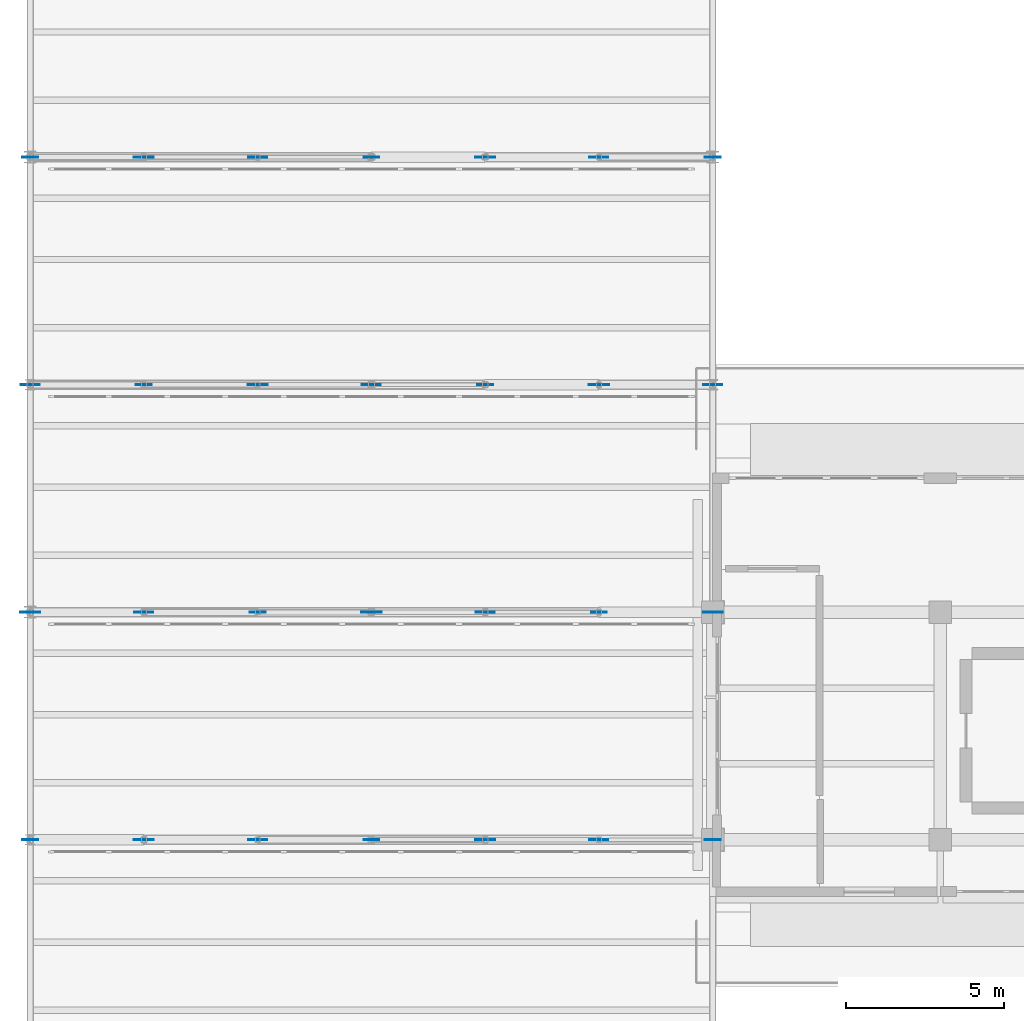
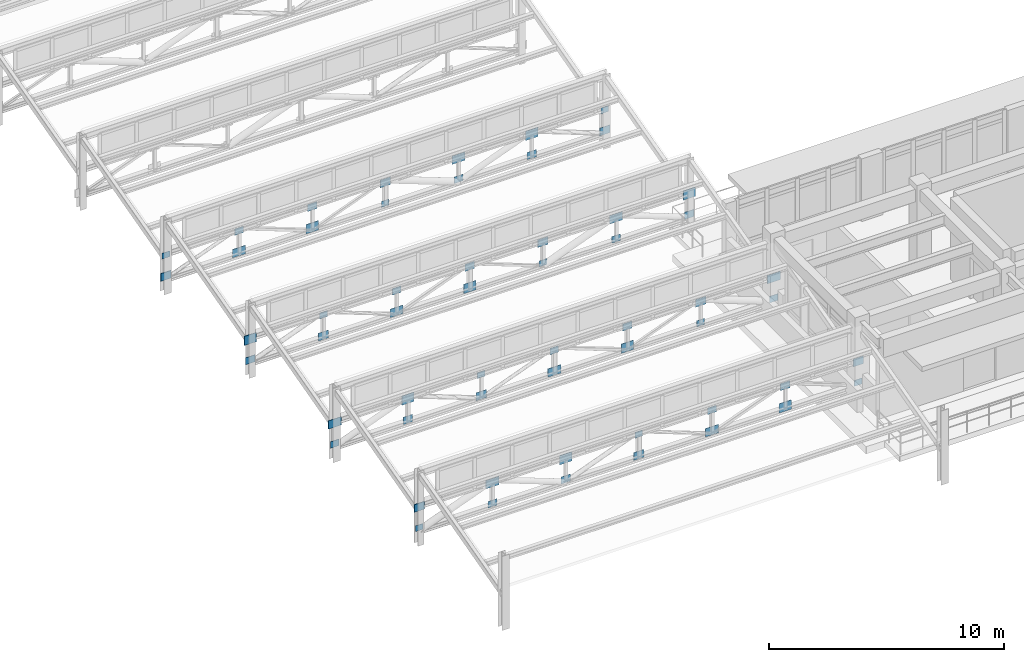
# One storey, part 43 of 55: 56 plates.
"""IFC4 building model written with IfcOpenShell, lengths in metres."""

from ifc_helpers import new_model, si_unit, direction, frame, origin, origin_2d, place, context, subcontext, project, spatial, rectangle, extrude, material, layer, layer_set, type_object, element, save


model = new_model("IFC4")

# Units and contexts
model_context = context("Model", 3, precision=1e-05, world=origin(), true_north=direction((0.0, 1.0)))
body_context = subcontext(model_context, "Body", "Model", "MODEL_VIEW")
ifc_project = project(units=[si_unit("LENGTHUNIT", "METRE"), si_unit("AREAUNIT", "SQUARE_METRE"), si_unit("VOLUMEUNIT", "CUBIC_METRE"), si_unit("PLANEANGLEUNIT", "RADIAN"), si_unit("MASSUNIT", "GRAM", prefix="KILO")], contexts=[model_context])

# Site, building, storey
site_placement = place(None, origin())
site = spatial("IfcSite", under=ifc_project, at=site_placement, CompositionType="ELEMENT")
building_placement = place(site_placement, origin())
building = spatial("IfcBuilding", under=site, at=building_placement, Name="Solenvale Faculty of Natural Sciences", CompositionType="ELEMENT")
storey_placement = place(building_placement, frame((0.0, 0.0, 22.5)))
storey = spatial("IfcBuildingStorey", under=building, at=storey_placement, Name="L05", CompositionType="ELEMENT", Elevation=22.5)

# Plates
ifc_material = material(Name="Steel S355", Category="steel")
ifc_layer_1 = layer(ifc_material, 0.01806640625)
ifc_layer_set_1 = layer_set([ifc_layer_1], Name="Steel S355")
plate_type_1 = type_object("IfcPlateType", Name="PLT-GUS-380x304x18", PredefinedType="SHEET", material=ifc_layer_set_1)
for number, where, z_axis, x_axis, name in (
    (1, (36.0, 21.60009765625, 0.67822265625), (0.0, 0.0, 1.0), (1.0, 0.0, 0.0), "V3 Truss 1.1 Node Gusset NPB0"),
    (2, (46.800048828125, 21.60009765625, 1.7578125), (0.0, 0.0, 1.0), (1.0, 0.0, 0.0), "V3 Truss 1.1 Node Gusset NPU3"),
    (3, (57.60009765625, 21.60009765625, 0.67822265625), (0.0, 0.0, 1.0), (1.0, 0.0, 0.0), "V3 Truss 1.1 Node Gusset NPB6"),
    (4, (43.199951171875, 28.800048828125, 1.7578125), (0.0, 0.0, 1.0), (1.0, 0.0, 0.0), "V3 Truss 2.1 Node Gusset NPU2"),
    (5, (54.0, 28.800048828125, 0.67822265625), (0.0, 0.0, 1.0), (1.0, 0.0, 0.0), "V3 Truss 2.1 Node Gusset NPB5"),
    (6, (39.60009765625, 36.0, 1.7578125), (0.0, 0.0, 1.0), (1.0, 0.0, 0.0), "V3 Truss 3.1 Node Gusset NPU1"),
    (7, (50.39990234375, 36.0, 0.67822265625), (0.0, 0.0, 1.0), (1.0, 0.0, 0.0), "V3 Truss 3.1 Node Gusset NPB4"),
    (8, (36.0, 43.199951171875, 1.7578125), (0.0, 0.0, 1.0), (1.0, 0.0, 0.0), "V3 Truss 4.1 Node Gusset NPU0"),
    (9, (46.800048828125, 43.199951171875, 0.67822265625), (0.0, 0.0, 1.0), (1.0, 0.0, 0.0), "V3 Truss 4.1 Node Gusset NPB3"),
    (10, (57.60009765625, 43.199951171875, 1.7578125), (0.0, 0.0, 1.0), (1.0, 0.0, 0.0), "V3 Truss 4.1 Node Gusset NPU6"),
):
    element("IfcPlate", number, at=place(storey_placement, frame(where, z_axis=z_axis, x_axis=x_axis)), inside=storey, type_object=plate_type_1, Name=name, PredefinedType="SHEET", context=body_context, shape_type="SweptSolid", body=[
        extrude(rectangle(XDim=0.3798828125, YDim=0.01806640625, at=origin_2d()), origin(), (0.0, 0.0, 1.0), 0.303955078125),
    ])
ifc_layer_2 = layer(ifc_material, 0.02001953125)
ifc_layer_set_2 = layer_set([ifc_layer_2], Name="Steel S355")
plate_type_2 = type_object("IfcPlateType", Name="PLT-GUS-420x336x20", PredefinedType="SHEET", material=ifc_layer_set_2)
for number, where, z_axis, x_axis, name in (
    (11, (39.60009765625, 21.60009765625, 0.662109375), (0.0, 0.0, 1.0), (1.0, 0.0, 0.0), "V3 Truss 1.1 Node Gusset NPB1"),
    (12, (50.39990234375, 21.60009765625, 1.741943359375), (0.0, 0.0, 1.0), (1.0, 0.0, 0.0), "V3 Truss 1.1 Node Gusset NPU4"),
    (13, (36.0, 28.800048828125, 0.662109375), (0.0, 0.0, 1.0), (1.0, 0.0, 0.0), "V3 Truss 2.1 Node Gusset NPB0"),
    (14, (46.800048828125, 28.800048828125, 1.741943359375), (0.0, 0.0, 1.0), (1.0, 0.0, 0.0), "V3 Truss 2.1 Node Gusset NPU3"),
    (15, (57.60009765625, 28.800048828125, 0.662109375), (0.0, 0.0, 1.0), (1.0, 0.0, 0.0), "V3 Truss 2.1 Node Gusset NPB6"),
    (16, (43.199951171875, 36.0, 1.741943359375), (0.0, 0.0, 1.0), (1.0, 0.0, 0.0), "V3 Truss 3.1 Node Gusset NPU2"),
    (17, (54.0, 36.0, 0.662109375), (0.0, 0.0, 1.0), (1.0, 0.0, 0.0), "V3 Truss 3.1 Node Gusset NPB5"),
    (18, (39.60009765625, 43.199951171875, 1.741943359375), (0.0, 0.0, 1.0), (1.0, 0.0, 0.0), "V3 Truss 4.1 Node Gusset NPU1"),
    (19, (50.39990234375, 43.199951171875, 0.662109375), (0.0, 0.0, 1.0), (1.0, 0.0, 0.0), "V3 Truss 4.1 Node Gusset NPB4"),
):
    element("IfcPlate", number, at=place(storey_placement, frame(where, z_axis=z_axis, x_axis=x_axis)), inside=storey, type_object=plate_type_2, Name=name, PredefinedType="SHEET", context=body_context, shape_type="SweptSolid", body=[
        extrude(rectangle(XDim=0.419921875, YDim=0.02001953125, at=origin_2d()), origin(), (0.0, 0.0, 1.0), 0.3359375),
    ])
ifc_layer_3 = layer(ifc_material, 0.02197265625)
ifc_layer_set_3 = layer_set([ifc_layer_3], Name="Steel S355")
plate_type_3 = type_object("IfcPlateType", Name="PLT-GUS-460x368x22", PredefinedType="SHEET", material=ifc_layer_set_3)
for number, where, z_axis, x_axis, name in (
    (20, (43.199951171875, 21.60009765625, 0.64599609375), (0.0, 0.0, 1.0), (1.0, 0.0, 0.0), "V3 Truss 1.1 Node Gusset NPB2"),
    (21, (54.0, 21.60009765625, 1.72607421875), (0.0, 0.0, 1.0), (1.0, 0.0, 0.0), "V3 Truss 1.1 Node Gusset NPU5"),
    (22, (39.60009765625, 28.800048828125, 0.64599609375), (0.0, 0.0, 1.0), (1.0, 0.0, 0.0), "V3 Truss 2.1 Node Gusset NPB1"),
    (23, (50.39990234375, 28.800048828125, 1.72607421875), (0.0, 0.0, 1.0), (1.0, 0.0, 0.0), "V3 Truss 2.1 Node Gusset NPU4"),
    (24, (36.0, 36.0, 0.64599609375), (0.0, 0.0, 1.0), (1.0, 0.0, 0.0), "V3 Truss 3.1 Node Gusset NPB0"),
    (25, (46.800048828125, 36.0, 1.72607421875), (0.0, 0.0, 1.0), (1.0, 0.0, 0.0), "V3 Truss 3.1 Node Gusset NPU3"),
    (26, (57.60009765625, 36.0, 0.64599609375), (0.0, 0.0, 1.0), (1.0, 0.0, 0.0), "V3 Truss 3.1 Node Gusset NPB6"),
    (27, (43.199951171875, 43.199951171875, 1.72607421875), (0.0, 0.0, 1.0), (1.0, 0.0, 0.0), "V3 Truss 4.1 Node Gusset NPU2"),
    (28, (54.0, 43.199951171875, 0.64599609375), (0.0, 0.0, 1.0), (1.0, 0.0, 0.0), "V3 Truss 4.1 Node Gusset NPB5"),
):
    element("IfcPlate", number, at=place(storey_placement, frame(where, z_axis=z_axis, x_axis=x_axis)), inside=storey, type_object=plate_type_3, Name=name, PredefinedType="SHEET", context=body_context, shape_type="SweptSolid", body=[
        extrude(rectangle(XDim=0.4599609375, YDim=0.02197265625, at=origin_2d()), origin(), (0.0, 0.0, 1.0), 0.367919921875),
    ])
ifc_layer_4 = layer(ifc_material, 0.02392578125)
ifc_layer_set_4 = layer_set([ifc_layer_4], Name="Steel S355")
plate_type_4 = type_object("IfcPlateType", Name="PLT-GUS-500x400x24", PredefinedType="SHEET", material=ifc_layer_set_4)
for number, where, z_axis, x_axis, name in (
    (29, (36.0, 21.60009765625, 1.7099609375), (0.0, 0.0, 1.0), (1.0, 0.0, 0.0), "V3 Truss 1.1 Node Gusset NPU0"),
    (30, (46.800048828125, 21.60009765625, 0.630126953125), (0.0, 0.0, 1.0), (1.0, 0.0, 0.0), "V3 Truss 1.1 Node Gusset NPB3"),
    (31, (57.60009765625, 21.60009765625, 1.7099609375), (0.0, 0.0, 1.0), (1.0, 0.0, 0.0), "V3 Truss 1.1 Node Gusset NPU6"),
    (32, (43.199951171875, 28.800048828125, 0.630126953125), (0.0, 0.0, 1.0), (1.0, 0.0, 0.0), "V3 Truss 2.1 Node Gusset NPB2"),
    (33, (54.0, 28.800048828125, 1.7099609375), (0.0, 0.0, 1.0), (1.0, 0.0, 0.0), "V3 Truss 2.1 Node Gusset NPU5"),
    (34, (39.60009765625, 36.0, 0.630126953125), (0.0, 0.0, 1.0), (1.0, 0.0, 0.0), "V3 Truss 3.1 Node Gusset NPB1"),
    (35, (50.39990234375, 36.0, 1.7099609375), (0.0, 0.0, 1.0), (1.0, 0.0, 0.0), "V3 Truss 3.1 Node Gusset NPU4"),
    (36, (36.0, 43.199951171875, 0.630126953125), (0.0, 0.0, 1.0), (1.0, 0.0, 0.0), "V3 Truss 4.1 Node Gusset NPB0"),
    (37, (46.800048828125, 43.199951171875, 1.7099609375), (0.0, 0.0, 1.0), (1.0, 0.0, 0.0), "V3 Truss 4.1 Node Gusset NPU3"),
    (38, (57.60009765625, 43.199951171875, 0.630126953125), (0.0, 0.0, 1.0), (1.0, 0.0, 0.0), "V3 Truss 4.1 Node Gusset NPB6"),
):
    element("IfcPlate", number, at=place(storey_placement, frame(where, z_axis=z_axis, x_axis=x_axis)), inside=storey, type_object=plate_type_4, Name=name, PredefinedType="SHEET", context=body_context, shape_type="SweptSolid", body=[
        extrude(rectangle(XDim=0.5, YDim=0.02392578125, at=origin_2d()), origin(), (0.0, 0.0, 1.0), 0.39990234375),
    ])
ifc_layer_5 = layer(ifc_material, 0.02490234375)
ifc_layer_set_5 = layer_set([ifc_layer_5], Name="Steel S355")
plate_type_5 = type_object("IfcPlateType", Name="PLT-GUS-540x432x25", PredefinedType="SHEET", material=ifc_layer_set_5)
for number, where, z_axis, x_axis, name in (
    (39, (39.60009765625, 21.60009765625, 1.69384765625), (0.0, 0.0, 1.0), (1.0, 0.0, 0.0), "V3 Truss 1.1 Node Gusset NPU1"),
    (40, (50.39990234375, 21.60009765625, 0.6142578125), (0.0, 0.0, 1.0), (1.0, 0.0, 0.0), "V3 Truss 1.1 Node Gusset NPB4"),
    (41, (36.0, 28.800048828125, 1.69384765625), (0.0, 0.0, 1.0), (1.0, 0.0, 0.0), "V3 Truss 2.1 Node Gusset NPU0"),
    (42, (46.800048828125, 28.800048828125, 0.6142578125), (0.0, 0.0, 1.0), (1.0, 0.0, 0.0), "V3 Truss 2.1 Node Gusset NPB3"),
    (43, (57.60009765625, 28.800048828125, 1.69384765625), (0.0, 0.0, 1.0), (1.0, 0.0, 0.0), "V3 Truss 2.1 Node Gusset NPU6"),
    (44, (43.199951171875, 36.0, 0.6142578125), (0.0, 0.0, 1.0), (1.0, 0.0, 0.0), "V3 Truss 3.1 Node Gusset NPB2"),
    (45, (54.0, 36.0, 1.69384765625), (0.0, 0.0, 1.0), (1.0, 0.0, 0.0), "V3 Truss 3.1 Node Gusset NPU5"),
    (46, (39.60009765625, 43.199951171875, 0.6142578125), (0.0, 0.0, 1.0), (1.0, 0.0, 0.0), "V3 Truss 4.1 Node Gusset NPB1"),
    (47, (50.39990234375, 43.199951171875, 1.69384765625), (0.0, 0.0, 1.0), (1.0, 0.0, 0.0), "V3 Truss 4.1 Node Gusset NPU4"),
):
    element("IfcPlate", number, at=place(storey_placement, frame(where, z_axis=z_axis, x_axis=x_axis)), inside=storey, type_object=plate_type_5, Name=name, PredefinedType="SHEET", context=body_context, shape_type="SweptSolid", body=[
        extrude(rectangle(XDim=0.639892578125, YDim=0.02490234375, at=origin_2d()), origin(), (0.0, 0.0, 1.0), 0.431884765625),
    ])
ifc_layer_6 = layer(ifc_material, 0.028076171875)
ifc_layer_set_6 = layer_set([ifc_layer_6], Name="Steel S355")
plate_type_6 = type_object("IfcPlateType", Name="PLT-GUS-600x480x28", PredefinedType="SHEET", material=ifc_layer_set_6)
for number, where, z_axis, x_axis, name in (
    (48, (43.199951171875, 21.60009765625, 1.669921875), (0.0, 0.0, 1.0), (1.0, 0.0, 0.0), "V3 Truss 1.1 Node Gusset NPU2"),
    (49, (54.0, 21.60009765625, 0.590087890625), (0.0, 0.0, 1.0), (1.0, 0.0, 0.0), "V3 Truss 1.1 Node Gusset NPB5"),
    (50, (39.60009765625, 28.800048828125, 1.669921875), (0.0, 0.0, 1.0), (1.0, 0.0, 0.0), "V3 Truss 2.1 Node Gusset NPU1"),
    (51, (50.39990234375, 28.800048828125, 0.590087890625), (0.0, 0.0, 1.0), (1.0, 0.0, 0.0), "V3 Truss 2.1 Node Gusset NPB4"),
    (52, (36.0, 36.0, 1.669921875), (0.0, 0.0, 1.0), (1.0, 0.0, 0.0), "V3 Truss 3.1 Node Gusset NPU0"),
    (53, (46.800048828125, 36.0, 0.590087890625), (0.0, 0.0, 1.0), (1.0, 0.0, 0.0), "V3 Truss 3.1 Node Gusset NPB3"),
    (54, (57.60009765625, 36.0, 1.669921875), (0.0, 0.0, 1.0), (1.0, 0.0, 0.0), "V3 Truss 3.1 Node Gusset NPU6"),
    (55, (43.199951171875, 43.199951171875, 0.590087890625), (0.0, 0.0, 1.0), (1.0, 0.0, 0.0), "V3 Truss 4.1 Node Gusset NPB2"),
    (56, (54.0, 43.199951171875, 1.669921875), (0.0, 0.0, 1.0), (1.0, 0.0, 0.0), "V3 Truss 4.1 Node Gusset NPU5"),
):
    element("IfcPlate", number, at=place(storey_placement, frame(where, z_axis=z_axis, x_axis=x_axis)), inside=storey, type_object=plate_type_6, Name=name, PredefinedType="SHEET", context=body_context, shape_type="SweptSolid", body=[
        extrude(rectangle(XDim=0.60009765625, YDim=0.028076171875, at=origin_2d()), origin(), (0.0, 0.0, 1.0), 0.47998046875),
    ])

save(model, "model.ifc")
